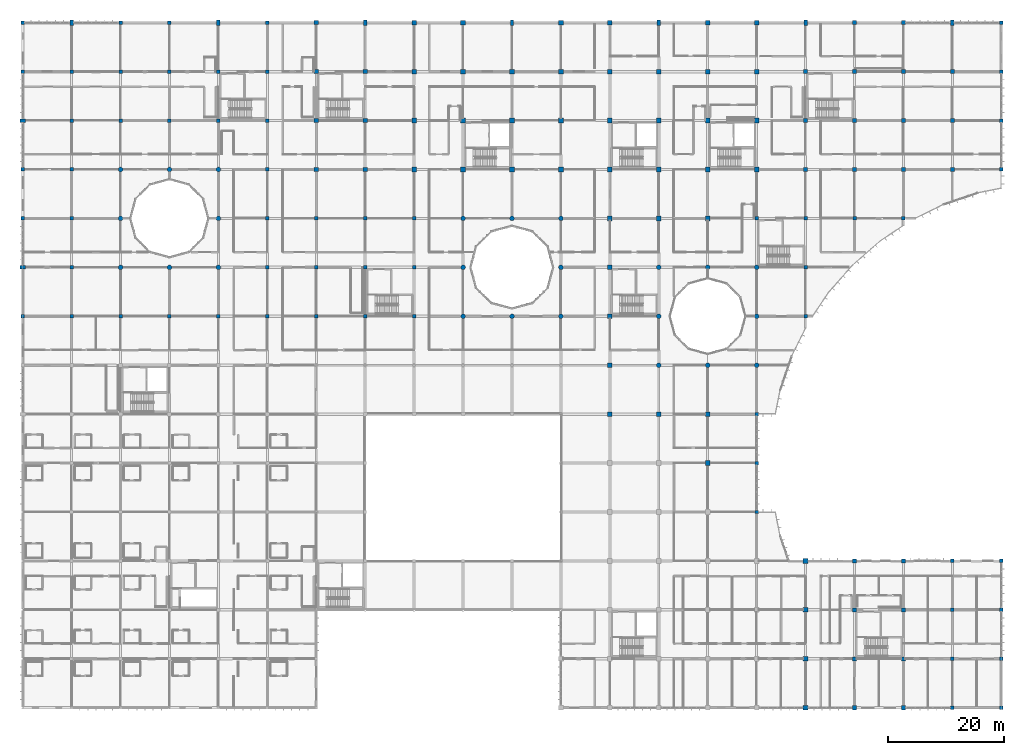
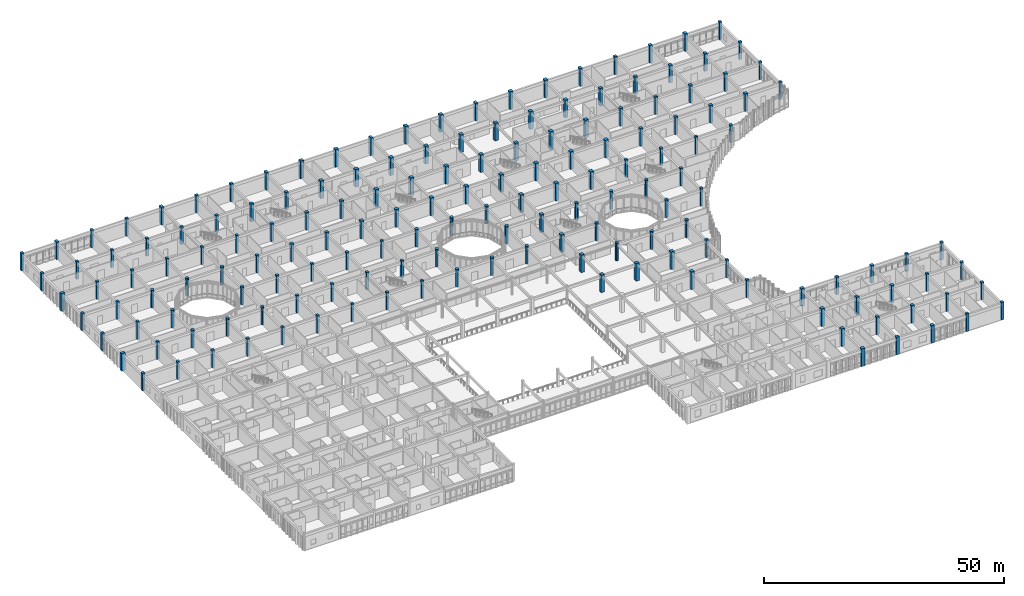
# One storey, part 8 of 144: 165 columns.
"""IFC4 building model written with IfcOpenShell, lengths in metres."""

from ifc_helpers import new_model, si_unit, direction, frame, origin, origin_2d, place, context, subcontext, project, spatial, rectangle, circle, extrude, material, material_profile, profile_set, type_object, element, save


model = new_model("IFC4")

# Units and contexts
model_context = context("Model", 3, precision=1e-05, world=origin(), true_north=direction((0.0, 1.0)))
body_context = subcontext(model_context, "Body", "Model", "MODEL_VIEW")
ifc_project = project(units=[si_unit("LENGTHUNIT", "METRE"), si_unit("AREAUNIT", "SQUARE_METRE"), si_unit("VOLUMEUNIT", "CUBIC_METRE"), si_unit("PLANEANGLEUNIT", "RADIAN"), si_unit("MASSUNIT", "GRAM", prefix="KILO")], contexts=[model_context])

# Site, building, storey
site_placement = place(None, origin())
site = spatial("IfcSite", under=ifc_project, at=site_placement, CompositionType="ELEMENT")
building_placement = place(site_placement, origin())
building = spatial("IfcBuilding", under=site, at=building_placement, Name="Bramfleet General Hospital", CompositionType="ELEMENT")
storey_placement = place(building_placement, frame((0.0, 0.0, 4.800048828125)))
storey = spatial("IfcBuildingStorey", under=building, at=storey_placement, Name="L01", CompositionType="ELEMENT", Elevation=4.800048828125)

# Columns
ifc_material = material(Name="Concrete C40/50", Category="concrete")
ifc_material_profile_1 = material_profile(ifc_material, rectangle(XDim=0.60009765625, YDim=0.89990234375, at=origin_2d()), Name="RC PIL 900x600")
ifc_profile_set_1 = profile_set([ifc_material_profile_1], Name="Concrete C40/50")
column_type_1 = type_object("IfcColumnType", Name="COL-PIL900", PredefinedType="PILASTER", material=ifc_profile_set_1)
for number, where, z_axis, x_axis, name in (
    (1, (0.0, 75.60009765625, 0.0), (0.0, 0.0, 1.0), (0.0, 1.0, 0.0), "Column COL-L01-00-09"),
    (2, (0.0, 100.800048828125, 0.0), (0.0, 0.0, 1.0), (0.0, 1.0, 0.0), "Column COL-L01-00-12"),
    (3, (8.39990234375, 117.60009765625, 0.0), (0.0, 0.0, 1.0), (1.0, 0.0, 0.0), "Column COL-L01-01-14"),
    (4, (33.60009765625, 117.60009765625, 0.0), (0.0, 0.0, 1.0), (1.0, 0.0, 0.0), "Column COL-L01-04-14"),
    (5, (58.800048828125, 117.60009765625, 0.0), (0.0, 0.0, 1.0), (1.0, 0.0, 0.0), "Column COL-L01-07-14"),
    (6, (84.0, 117.60009765625, 0.0), (0.0, 0.0, 1.0), (1.0, 0.0, 0.0), "Column COL-L01-10-14"),
    (7, (109.199951171875, 117.60009765625, 0.0), (0.0, 0.0, 1.0), (1.0, 0.0, 0.0), "Column COL-L01-13-14"),
    (8, (134.39990234375, 117.60009765625, 0.0), (0.0, 0.0, 1.0), (1.0, 0.0, 0.0), "Column COL-L01-16-14"),
    (9, (159.60009765625, 117.60009765625, 0.0), (0.0, 0.0, 1.0), (1.0, 0.0, 0.0), "Column COL-L01-19-14"),
):
    element("IfcColumn", number, at=place(storey_placement, frame(where, z_axis=z_axis, x_axis=x_axis)), inside=storey, type_object=column_type_1, Name=name, PredefinedType="PILASTER", context=body_context, shape_type="SweptSolid", body=[
        extrude(rectangle(XDim=0.60009765625, YDim=0.89990234375, at=origin_2d()), origin(), (0.0, 0.0, 1.0), 4.5),
    ])
ifc_material_profile_2 = material_profile(ifc_material, rectangle(XDim=0.60009765625, YDim=0.60009765625, at=origin_2d()), Name="RC COL 600x600")
ifc_profile_set_2 = profile_set([ifc_material_profile_2], Name="Concrete C40/50")
column_type_2 = type_object("IfcColumnType", Name="COL-RC600", PredefinedType="COLUMN", material=ifc_profile_set_2)
for number, where, z_axis, x_axis, name in (
    (10, (0.0, 67.199951171875, 0.0), (0.0, 0.0, 1.0), (1.0, 0.0, 0.0), "Column COL-L01-00-08"),
    (11, (0.0, 84.0, 0.0), (0.0, 0.0, 1.0), (1.0, 0.0, 0.0), "Column COL-L01-00-10"),
    (12, (0.0, 92.39990234375, 0.0), (0.0, 0.0, 1.0), (1.0, 0.0, 0.0), "Column COL-L01-00-11"),
    (13, (0.0, 109.199951171875, 0.0), (0.0, 0.0, 1.0), (1.0, 0.0, 0.0), "Column COL-L01-00-13"),
    (14, (0.0, 117.60009765625, 0.0), (0.0, 0.0, 1.0), (1.0, 0.0, 0.0), "Column COL-L01-00-14"),
    (15, (8.39990234375, 67.199951171875, 0.0), (0.0, 0.0, 1.0), (1.0, 0.0, 0.0), "Column COL-L01-01-08"),
    (16, (8.39990234375, 75.60009765625, 0.0), (0.0, 0.0, 1.0), (1.0, 0.0, 0.0), "Column COL-L01-01-09"),
    (17, (8.39990234375, 84.0, 0.0), (0.0, 0.0, 1.0), (1.0, 0.0, 0.0), "Column COL-L01-01-10"),
    (18, (8.39990234375, 92.39990234375, 0.0), (0.0, 0.0, 1.0), (1.0, 0.0, 0.0), "Column COL-L01-01-11"),
    (19, (8.39990234375, 100.800048828125, 0.0), (0.0, 0.0, 1.0), (1.0, 0.0, 0.0), "Column COL-L01-01-12"),
    (20, (8.39990234375, 109.199951171875, 0.0), (0.0, 0.0, 1.0), (1.0, 0.0, 0.0), "Column COL-L01-01-13"),
    (21, (16.800048828125, 67.199951171875, 0.0), (0.0, 0.0, 1.0), (1.0, 0.0, 0.0), "Column COL-L01-02-08"),
    (22, (16.800048828125, 100.800048828125, 0.0), (0.0, 0.0, 1.0), (1.0, 0.0, 0.0), "Column COL-L01-02-12"),
    (23, (16.800048828125, 109.199951171875, 0.0), (0.0, 0.0, 1.0), (1.0, 0.0, 0.0), "Column COL-L01-02-13"),
    (24, (16.800048828125, 117.60009765625, 0.0), (0.0, 0.0, 1.0), (1.0, 0.0, 0.0), "Column COL-L01-02-14"),
    (25, (25.199951171875, 67.199951171875, 0.0), (0.0, 0.0, 1.0), (1.0, 0.0, 0.0), "Column COL-L01-03-08"),
    (26, (25.199951171875, 100.800048828125, 0.0), (0.0, 0.0, 1.0), (1.0, 0.0, 0.0), "Column COL-L01-03-12"),
    (27, (25.199951171875, 109.199951171875, 0.0), (0.0, 0.0, 1.0), (1.0, 0.0, 0.0), "Column COL-L01-03-13"),
    (28, (25.199951171875, 117.60009765625, 0.0), (0.0, 0.0, 1.0), (1.0, 0.0, 0.0), "Column COL-L01-03-14"),
    (29, (33.60009765625, 67.199951171875, 0.0), (0.0, 0.0, 1.0), (1.0, 0.0, 0.0), "Column COL-L01-04-08"),
    (30, (33.60009765625, 100.800048828125, 0.0), (0.0, 0.0, 1.0), (1.0, 0.0, 0.0), "Column COL-L01-04-12"),
    (31, (33.60009765625, 109.199951171875, 0.0), (0.0, 0.0, 1.0), (1.0, 0.0, 0.0), "Column COL-L01-04-13"),
    (32, (42.0, 67.199951171875, 0.0), (0.0, 0.0, 1.0), (1.0, 0.0, 0.0), "Column COL-L01-05-08"),
    (33, (42.0, 75.60009765625, 0.0), (0.0, 0.0, 1.0), (1.0, 0.0, 0.0), "Column COL-L01-05-09"),
    (34, (42.0, 84.0, 0.0), (0.0, 0.0, 1.0), (1.0, 0.0, 0.0), "Column COL-L01-05-10"),
    (35, (42.0, 92.39990234375, 0.0), (0.0, 0.0, 1.0), (1.0, 0.0, 0.0), "Column COL-L01-05-11"),
    (36, (42.0, 100.800048828125, 0.0), (0.0, 0.0, 1.0), (1.0, 0.0, 0.0), "Column COL-L01-05-12"),
    (37, (42.0, 109.199951171875, 0.0), (0.0, 0.0, 1.0), (1.0, 0.0, 0.0), "Column COL-L01-05-13"),
    (38, (42.0, 117.60009765625, 0.0), (0.0, 0.0, 1.0), (1.0, 0.0, 0.0), "Column COL-L01-05-14"),
    (39, (50.39990234375, 67.199951171875, 0.0), (0.0, 0.0, 1.0), (1.0, 0.0, 0.0), "Column COL-L01-06-08"),
    (40, (50.39990234375, 75.60009765625, 0.0), (0.0, 0.0, 1.0), (1.0, 0.0, 0.0), "Column COL-L01-06-09"),
    (41, (50.39990234375, 84.0, 0.0), (0.0, 0.0, 1.0), (1.0, 0.0, 0.0), "Column COL-L01-06-10"),
    (42, (58.800048828125, 67.199951171875, 0.0), (0.0, 0.0, 1.0), (1.0, 0.0, 0.0), "Column COL-L01-07-08"),
    (43, (58.800048828125, 75.60009765625, 0.0), (0.0, 0.0, 1.0), (1.0, 0.0, 0.0), "Column COL-L01-07-09"),
    (44, (58.800048828125, 84.0, 0.0), (0.0, 0.0, 1.0), (1.0, 0.0, 0.0), "Column COL-L01-07-10"),
    (45, (67.199951171875, 67.199951171875, 0.0), (0.0, 0.0, 1.0), (1.0, 0.0, 0.0), "Column COL-L01-08-08"),
    (46, (67.199951171875, 75.60009765625, 0.0), (0.0, 0.0, 1.0), (1.0, 0.0, 0.0), "Column COL-L01-08-09"),
    (47, (67.199951171875, 84.0, 0.0), (0.0, 0.0, 1.0), (1.0, 0.0, 0.0), "Column COL-L01-08-10"),
    (48, (126.0, 33.60009765625, 0.0), (0.0, 0.0, 1.0), (1.0, 0.0, 0.0), "Column COL-L01-15-04"),
    (49, (126.0, 42.0, 0.0), (0.0, 0.0, 1.0), (1.0, 0.0, 0.0), "Column COL-L01-15-05"),
    (50, (126.0, 50.39990234375, 0.0), (0.0, 0.0, 1.0), (1.0, 0.0, 0.0), "Column COL-L01-15-06"),
    (51, (126.0, 84.0, 0.0), (0.0, 0.0, 1.0), (1.0, 0.0, 0.0), "Column COL-L01-15-10"),
    (52, (134.39990234375, 67.199951171875, 0.0), (0.0, 0.0, 1.0), (1.0, 0.0, 0.0), "Column COL-L01-16-08"),
    (53, (134.39990234375, 75.60009765625, 0.0), (0.0, 0.0, 1.0), (1.0, 0.0, 0.0), "Column COL-L01-16-09"),
    (54, (134.39990234375, 84.0, 0.0), (0.0, 0.0, 1.0), (1.0, 0.0, 0.0), "Column COL-L01-16-10"),
    (55, (142.800048828125, 84.0, 0.0), (0.0, 0.0, 1.0), (1.0, 0.0, 0.0), "Column COL-L01-17-10"),
    (56, (151.199951171875, 84.0, 0.0), (0.0, 0.0, 1.0), (1.0, 0.0, 0.0), "Column COL-L01-18-10"),
    (57, (159.60009765625, 0.0, 0.0), (0.0, 0.0, 1.0), (1.0, 0.0, 0.0), "Column COL-L01-19-00"),
    (58, (159.60009765625, 8.39990234375, 0.0), (0.0, 0.0, 1.0), (1.0, 0.0, 0.0), "Column COL-L01-19-01"),
    (59, (159.60009765625, 16.800048828125, 0.0), (0.0, 0.0, 1.0), (1.0, 0.0, 0.0), "Column COL-L01-19-02"),
    (60, (159.60009765625, 25.199951171875, 0.0), (0.0, 0.0, 1.0), (1.0, 0.0, 0.0), "Column COL-L01-19-03"),
    (61, (168.0, 0.0, 0.0), (0.0, 0.0, 1.0), (1.0, 0.0, 0.0), "Column COL-L01-20-00"),
    (62, (168.0, 8.39990234375, 0.0), (0.0, 0.0, 1.0), (1.0, 0.0, 0.0), "Column COL-L01-20-01"),
    (63, (168.0, 16.800048828125, 0.0), (0.0, 0.0, 1.0), (1.0, 0.0, 0.0), "Column COL-L01-20-02"),
    (64, (168.0, 25.199951171875, 0.0), (0.0, 0.0, 1.0), (1.0, 0.0, 0.0), "Column COL-L01-20-03"),
    (65, (168.0, 92.39990234375, 0.0), (0.0, 0.0, 1.0), (1.0, 0.0, 0.0), "Column COL-L01-20-11"),
    (66, (168.0, 100.800048828125, 0.0), (0.0, 0.0, 1.0), (1.0, 0.0, 0.0), "Column COL-L01-20-12"),
    (67, (168.0, 109.199951171875, 0.0), (0.0, 0.0, 1.0), (1.0, 0.0, 0.0), "Column COL-L01-20-13"),
    (68, (168.0, 117.60009765625, 0.0), (0.0, 0.0, 1.0), (1.0, 0.0, 0.0), "Column COL-L01-20-14"),
):
    element("IfcColumn", number, at=place(storey_placement, frame(where, z_axis=z_axis, x_axis=x_axis)), inside=storey, type_object=column_type_2, Name=name, PredefinedType="COLUMN", context=body_context, shape_type="SweptSolid", body=[
        extrude(rectangle(XDim=0.60009765625, YDim=0.60009765625, at=origin_2d()), origin(), (0.0, 0.0, 1.0), 4.5),
    ])
ifc_material_profile_3 = material_profile(ifc_material, rectangle(XDim=0.699951171875, YDim=0.699951171875, at=origin_2d()), Name="RC COL 700x700")
ifc_profile_set_3 = profile_set([ifc_material_profile_3], Name="Concrete C40/50")
column_type_3 = type_object("IfcColumnType", Name="COL-RC700", PredefinedType="COLUMN", material=ifc_profile_set_3)
for number, where, z_axis, x_axis, name in (
    (69, (50.39990234375, 92.39990234375, 0.0), (0.0, 0.0, 1.0), (1.0, 0.0, 0.0), "Column COL-L01-06-11"),
    (70, (50.39990234375, 100.800048828125, 0.0), (0.0, 0.0, 1.0), (1.0, 0.0, 0.0), "Column COL-L01-06-12"),
    (71, (50.39990234375, 109.199951171875, 0.0), (0.0, 0.0, 1.0), (1.0, 0.0, 0.0), "Column COL-L01-06-13"),
    (72, (50.39990234375, 117.60009765625, 0.0), (0.0, 0.0, 1.0), (1.0, 0.0, 0.0), "Column COL-L01-06-14"),
    (73, (58.800048828125, 92.39990234375, 0.0), (0.0, 0.0, 1.0), (1.0, 0.0, 0.0), "Column COL-L01-07-11"),
    (74, (58.800048828125, 100.800048828125, 0.0), (0.0, 0.0, 1.0), (1.0, 0.0, 0.0), "Column COL-L01-07-12"),
    (75, (58.800048828125, 109.199951171875, 0.0), (0.0, 0.0, 1.0), (1.0, 0.0, 0.0), "Column COL-L01-07-13"),
    (76, (134.39990234375, 92.39990234375, 0.0), (0.0, 0.0, 1.0), (1.0, 0.0, 0.0), "Column COL-L01-16-11"),
    (77, (134.39990234375, 100.800048828125, 0.0), (0.0, 0.0, 1.0), (1.0, 0.0, 0.0), "Column COL-L01-16-12"),
    (78, (134.39990234375, 109.199951171875, 0.0), (0.0, 0.0, 1.0), (1.0, 0.0, 0.0), "Column COL-L01-16-13"),
    (79, (142.800048828125, 0.0, 0.0), (0.0, 0.0, 1.0), (1.0, 0.0, 0.0), "Column COL-L01-17-00"),
    (80, (142.800048828125, 8.39990234375, 0.0), (0.0, 0.0, 1.0), (1.0, 0.0, 0.0), "Column COL-L01-17-01"),
    (81, (142.800048828125, 16.800048828125, 0.0), (0.0, 0.0, 1.0), (1.0, 0.0, 0.0), "Column COL-L01-17-02"),
    (82, (142.800048828125, 25.199951171875, 0.0), (0.0, 0.0, 1.0), (1.0, 0.0, 0.0), "Column COL-L01-17-03"),
    (83, (142.800048828125, 92.39990234375, 0.0), (0.0, 0.0, 1.0), (1.0, 0.0, 0.0), "Column COL-L01-17-11"),
    (84, (142.800048828125, 100.800048828125, 0.0), (0.0, 0.0, 1.0), (1.0, 0.0, 0.0), "Column COL-L01-17-12"),
    (85, (142.800048828125, 109.199951171875, 0.0), (0.0, 0.0, 1.0), (1.0, 0.0, 0.0), "Column COL-L01-17-13"),
    (86, (142.800048828125, 117.60009765625, 0.0), (0.0, 0.0, 1.0), (1.0, 0.0, 0.0), "Column COL-L01-17-14"),
    (87, (151.199951171875, 0.0, 0.0), (0.0, 0.0, 1.0), (1.0, 0.0, 0.0), "Column COL-L01-18-00"),
    (88, (151.199951171875, 8.39990234375, 0.0), (0.0, 0.0, 1.0), (1.0, 0.0, 0.0), "Column COL-L01-18-01"),
    (89, (151.199951171875, 16.800048828125, 0.0), (0.0, 0.0, 1.0), (1.0, 0.0, 0.0), "Column COL-L01-18-02"),
    (90, (151.199951171875, 25.199951171875, 0.0), (0.0, 0.0, 1.0), (1.0, 0.0, 0.0), "Column COL-L01-18-03"),
    (91, (151.199951171875, 92.39990234375, 0.0), (0.0, 0.0, 1.0), (1.0, 0.0, 0.0), "Column COL-L01-18-11"),
    (92, (151.199951171875, 100.800048828125, 0.0), (0.0, 0.0, 1.0), (1.0, 0.0, 0.0), "Column COL-L01-18-12"),
    (93, (151.199951171875, 109.199951171875, 0.0), (0.0, 0.0, 1.0), (1.0, 0.0, 0.0), "Column COL-L01-18-13"),
    (94, (151.199951171875, 117.60009765625, 0.0), (0.0, 0.0, 1.0), (1.0, 0.0, 0.0), "Column COL-L01-18-14"),
    (95, (159.60009765625, 92.39990234375, 0.0), (0.0, 0.0, 1.0), (1.0, 0.0, 0.0), "Column COL-L01-19-11"),
    (96, (159.60009765625, 100.800048828125, 0.0), (0.0, 0.0, 1.0), (1.0, 0.0, 0.0), "Column COL-L01-19-12"),
    (97, (159.60009765625, 109.199951171875, 0.0), (0.0, 0.0, 1.0), (1.0, 0.0, 0.0), "Column COL-L01-19-13"),
):
    element("IfcColumn", number, at=place(storey_placement, frame(where, z_axis=z_axis, x_axis=x_axis)), inside=storey, type_object=column_type_3, Name=name, PredefinedType="COLUMN", context=body_context, shape_type="SweptSolid", body=[
        extrude(rectangle(XDim=0.699951171875, YDim=0.699951171875, at=origin_2d()), origin(), (0.0, 0.0, 1.0), 4.5),
    ])
ifc_material_profile_4 = material_profile(ifc_material, rectangle(XDim=0.800048828125, YDim=0.800048828125, at=origin_2d()), Name="RC COL 800x800")
ifc_profile_set_4 = profile_set([ifc_material_profile_4], Name="Concrete C40/50")
column_type_4 = type_object("IfcColumnType", Name="COL-RC800", PredefinedType="COLUMN", material=ifc_profile_set_4)
for number, where, z_axis, x_axis, name in (
    (98, (67.199951171875, 92.39990234375, 0.0), (0.0, 0.0, 1.0), (1.0, 0.0, 0.0), "Column COL-L01-08-11"),
    (99, (67.199951171875, 100.800048828125, 0.0), (0.0, 0.0, 1.0), (1.0, 0.0, 0.0), "Column COL-L01-08-12"),
    (100, (67.199951171875, 109.199951171875, 0.0), (0.0, 0.0, 1.0), (1.0, 0.0, 0.0), "Column COL-L01-08-13"),
    (101, (67.199951171875, 117.60009765625, 0.0), (0.0, 0.0, 1.0), (1.0, 0.0, 0.0), "Column COL-L01-08-14"),
    (102, (75.60009765625, 92.39990234375, 0.0), (0.0, 0.0, 1.0), (1.0, 0.0, 0.0), "Column COL-L01-09-11"),
    (103, (75.60009765625, 100.800048828125, 0.0), (0.0, 0.0, 1.0), (1.0, 0.0, 0.0), "Column COL-L01-09-12"),
    (104, (75.60009765625, 109.199951171875, 0.0), (0.0, 0.0, 1.0), (1.0, 0.0, 0.0), "Column COL-L01-09-13"),
    (105, (75.60009765625, 117.60009765625, 0.0), (0.0, 0.0, 1.0), (1.0, 0.0, 0.0), "Column COL-L01-09-14"),
    (106, (84.0, 92.39990234375, 0.0), (0.0, 0.0, 1.0), (1.0, 0.0, 0.0), "Column COL-L01-10-11"),
    (107, (84.0, 100.800048828125, 0.0), (0.0, 0.0, 1.0), (1.0, 0.0, 0.0), "Column COL-L01-10-12"),
    (108, (84.0, 109.199951171875, 0.0), (0.0, 0.0, 1.0), (1.0, 0.0, 0.0), "Column COL-L01-10-13"),
    (109, (92.39990234375, 92.39990234375, 0.0), (0.0, 0.0, 1.0), (1.0, 0.0, 0.0), "Column COL-L01-11-11"),
    (110, (92.39990234375, 100.800048828125, 0.0), (0.0, 0.0, 1.0), (1.0, 0.0, 0.0), "Column COL-L01-11-12"),
    (111, (92.39990234375, 109.199951171875, 0.0), (0.0, 0.0, 1.0), (1.0, 0.0, 0.0), "Column COL-L01-11-13"),
    (112, (92.39990234375, 117.60009765625, 0.0), (0.0, 0.0, 1.0), (1.0, 0.0, 0.0), "Column COL-L01-11-14"),
    (113, (100.800048828125, 50.39990234375, 0.0), (0.0, 0.0, 1.0), (1.0, 0.0, 0.0), "Column COL-L01-12-06"),
    (114, (100.800048828125, 58.800048828125, 0.0), (0.0, 0.0, 1.0), (1.0, 0.0, 0.0), "Column COL-L01-12-07"),
    (115, (100.800048828125, 67.199951171875, 0.0), (0.0, 0.0, 1.0), (1.0, 0.0, 0.0), "Column COL-L01-12-08"),
    (116, (100.800048828125, 75.60009765625, 0.0), (0.0, 0.0, 1.0), (1.0, 0.0, 0.0), "Column COL-L01-12-09"),
    (117, (100.800048828125, 84.0, 0.0), (0.0, 0.0, 1.0), (1.0, 0.0, 0.0), "Column COL-L01-12-10"),
    (118, (100.800048828125, 92.39990234375, 0.0), (0.0, 0.0, 1.0), (1.0, 0.0, 0.0), "Column COL-L01-12-11"),
    (119, (100.800048828125, 100.800048828125, 0.0), (0.0, 0.0, 1.0), (1.0, 0.0, 0.0), "Column COL-L01-12-12"),
    (120, (100.800048828125, 109.199951171875, 0.0), (0.0, 0.0, 1.0), (1.0, 0.0, 0.0), "Column COL-L01-12-13"),
    (121, (100.800048828125, 117.60009765625, 0.0), (0.0, 0.0, 1.0), (1.0, 0.0, 0.0), "Column COL-L01-12-14"),
    (122, (109.199951171875, 50.39990234375, 0.0), (0.0, 0.0, 1.0), (1.0, 0.0, 0.0), "Column COL-L01-13-06"),
    (123, (109.199951171875, 84.0, 0.0), (0.0, 0.0, 1.0), (1.0, 0.0, 0.0), "Column COL-L01-13-10"),
    (124, (109.199951171875, 92.39990234375, 0.0), (0.0, 0.0, 1.0), (1.0, 0.0, 0.0), "Column COL-L01-13-11"),
    (125, (109.199951171875, 100.800048828125, 0.0), (0.0, 0.0, 1.0), (1.0, 0.0, 0.0), "Column COL-L01-13-12"),
    (126, (109.199951171875, 109.199951171875, 0.0), (0.0, 0.0, 1.0), (1.0, 0.0, 0.0), "Column COL-L01-13-13"),
    (127, (117.60009765625, 42.0, 0.0), (0.0, 0.0, 1.0), (1.0, 0.0, 0.0), "Column COL-L01-14-05"),
    (128, (117.60009765625, 50.39990234375, 0.0), (0.0, 0.0, 1.0), (1.0, 0.0, 0.0), "Column COL-L01-14-06"),
    (129, (117.60009765625, 84.0, 0.0), (0.0, 0.0, 1.0), (1.0, 0.0, 0.0), "Column COL-L01-14-10"),
    (130, (117.60009765625, 92.39990234375, 0.0), (0.0, 0.0, 1.0), (1.0, 0.0, 0.0), "Column COL-L01-14-11"),
    (131, (117.60009765625, 100.800048828125, 0.0), (0.0, 0.0, 1.0), (1.0, 0.0, 0.0), "Column COL-L01-14-12"),
    (132, (117.60009765625, 109.199951171875, 0.0), (0.0, 0.0, 1.0), (1.0, 0.0, 0.0), "Column COL-L01-14-13"),
    (133, (117.60009765625, 117.60009765625, 0.0), (0.0, 0.0, 1.0), (1.0, 0.0, 0.0), "Column COL-L01-14-14"),
    (134, (126.0, 92.39990234375, 0.0), (0.0, 0.0, 1.0), (1.0, 0.0, 0.0), "Column COL-L01-15-11"),
    (135, (126.0, 100.800048828125, 0.0), (0.0, 0.0, 1.0), (1.0, 0.0, 0.0), "Column COL-L01-15-12"),
    (136, (126.0, 109.199951171875, 0.0), (0.0, 0.0, 1.0), (1.0, 0.0, 0.0), "Column COL-L01-15-13"),
    (137, (126.0, 117.60009765625, 0.0), (0.0, 0.0, 1.0), (1.0, 0.0, 0.0), "Column COL-L01-15-14"),
    (138, (134.39990234375, 0.0, 0.0), (0.0, 0.0, 1.0), (1.0, 0.0, 0.0), "Column COL-L01-16-00"),
    (139, (134.39990234375, 8.39990234375, 0.0), (0.0, 0.0, 1.0), (1.0, 0.0, 0.0), "Column COL-L01-16-01"),
    (140, (134.39990234375, 16.800048828125, 0.0), (0.0, 0.0, 1.0), (1.0, 0.0, 0.0), "Column COL-L01-16-02"),
    (141, (134.39990234375, 25.199951171875, 0.0), (0.0, 0.0, 1.0), (1.0, 0.0, 0.0), "Column COL-L01-16-03"),
):
    element("IfcColumn", number, at=place(storey_placement, frame(where, z_axis=z_axis, x_axis=x_axis)), inside=storey, type_object=column_type_4, Name=name, PredefinedType="COLUMN", context=body_context, shape_type="SweptSolid", body=[
        extrude(rectangle(XDim=0.800048828125, YDim=0.800048828125, at=origin_2d()), origin(), (0.0, 0.0, 1.0), 4.5),
    ])
ifc_material_profile_5 = material_profile(ifc_material, circle(Radius=0.39990234375, at=origin_2d()), Name="RC ROUND D800")
ifc_profile_set_5 = profile_set([ifc_material_profile_5], Name="Concrete C40/50")
column_type_5 = type_object("IfcColumnType", Name="COL-RCD800", PredefinedType="COLUMN", material=ifc_profile_set_5)
for number, where, z_axis, x_axis, name in (
    (142, (16.800048828125, 75.60009765625, 0.0), (0.0, 0.0, 1.0), (1.0, 0.0, 0.0), "Column COL-L01-02-09"),
    (143, (16.800048828125, 84.0, 0.0), (0.0, 0.0, 1.0), (1.0, 0.0, 0.0), "Column COL-L01-02-10"),
    (144, (16.800048828125, 92.39990234375, 0.0), (0.0, 0.0, 1.0), (1.0, 0.0, 0.0), "Column COL-L01-02-11"),
    (145, (25.199951171875, 75.60009765625, 0.0), (0.0, 0.0, 1.0), (1.0, 0.0, 0.0), "Column COL-L01-03-09"),
    (146, (25.199951171875, 92.39990234375, 0.0), (0.0, 0.0, 1.0), (1.0, 0.0, 0.0), "Column COL-L01-03-11"),
    (147, (33.60009765625, 75.60009765625, 0.0), (0.0, 0.0, 1.0), (1.0, 0.0, 0.0), "Column COL-L01-04-09"),
    (148, (33.60009765625, 84.0, 0.0), (0.0, 0.0, 1.0), (1.0, 0.0, 0.0), "Column COL-L01-04-10"),
    (149, (33.60009765625, 92.39990234375, 0.0), (0.0, 0.0, 1.0), (1.0, 0.0, 0.0), "Column COL-L01-04-11"),
    (150, (75.60009765625, 67.199951171875, 0.0), (0.0, 0.0, 1.0), (1.0, 0.0, 0.0), "Column COL-L01-09-08"),
    (151, (75.60009765625, 75.60009765625, 0.0), (0.0, 0.0, 1.0), (1.0, 0.0, 0.0), "Column COL-L01-09-09"),
    (152, (75.60009765625, 84.0, 0.0), (0.0, 0.0, 1.0), (1.0, 0.0, 0.0), "Column COL-L01-09-10"),
    (153, (84.0, 67.199951171875, 0.0), (0.0, 0.0, 1.0), (1.0, 0.0, 0.0), "Column COL-L01-10-08"),
    (154, (84.0, 84.0, 0.0), (0.0, 0.0, 1.0), (1.0, 0.0, 0.0), "Column COL-L01-10-10"),
    (155, (92.39990234375, 67.199951171875, 0.0), (0.0, 0.0, 1.0), (1.0, 0.0, 0.0), "Column COL-L01-11-08"),
    (156, (92.39990234375, 75.60009765625, 0.0), (0.0, 0.0, 1.0), (1.0, 0.0, 0.0), "Column COL-L01-11-09"),
    (157, (92.39990234375, 84.0, 0.0), (0.0, 0.0, 1.0), (1.0, 0.0, 0.0), "Column COL-L01-11-10"),
    (158, (109.199951171875, 58.800048828125, 0.0), (0.0, 0.0, 1.0), (1.0, 0.0, 0.0), "Column COL-L01-13-07"),
    (159, (109.199951171875, 67.199951171875, 0.0), (0.0, 0.0, 1.0), (1.0, 0.0, 0.0), "Column COL-L01-13-08"),
    (160, (109.199951171875, 75.60009765625, 0.0), (0.0, 0.0, 1.0), (1.0, 0.0, 0.0), "Column COL-L01-13-09"),
    (161, (117.60009765625, 58.800048828125, 0.0), (0.0, 0.0, 1.0), (1.0, 0.0, 0.0), "Column COL-L01-14-07"),
    (162, (117.60009765625, 75.60009765625, 0.0), (0.0, 0.0, 1.0), (1.0, 0.0, 0.0), "Column COL-L01-14-09"),
    (163, (126.0, 58.800048828125, 0.0), (0.0, 0.0, 1.0), (1.0, 0.0, 0.0), "Column COL-L01-15-07"),
    (164, (126.0, 67.199951171875, 0.0), (0.0, 0.0, 1.0), (1.0, 0.0, 0.0), "Column COL-L01-15-08"),
    (165, (126.0, 75.60009765625, 0.0), (0.0, 0.0, 1.0), (1.0, 0.0, 0.0), "Column COL-L01-15-09"),
):
    element("IfcColumn", number, at=place(storey_placement, frame(where, z_axis=z_axis, x_axis=x_axis)), inside=storey, type_object=column_type_5, Name=name, PredefinedType="COLUMN", context=body_context, shape_type="SweptSolid", body=[
        extrude(circle(Radius=0.39990234375, at=origin_2d()), origin(), (0.0, 0.0, 1.0), 4.5),
    ])

save(model, "model.ifc")
